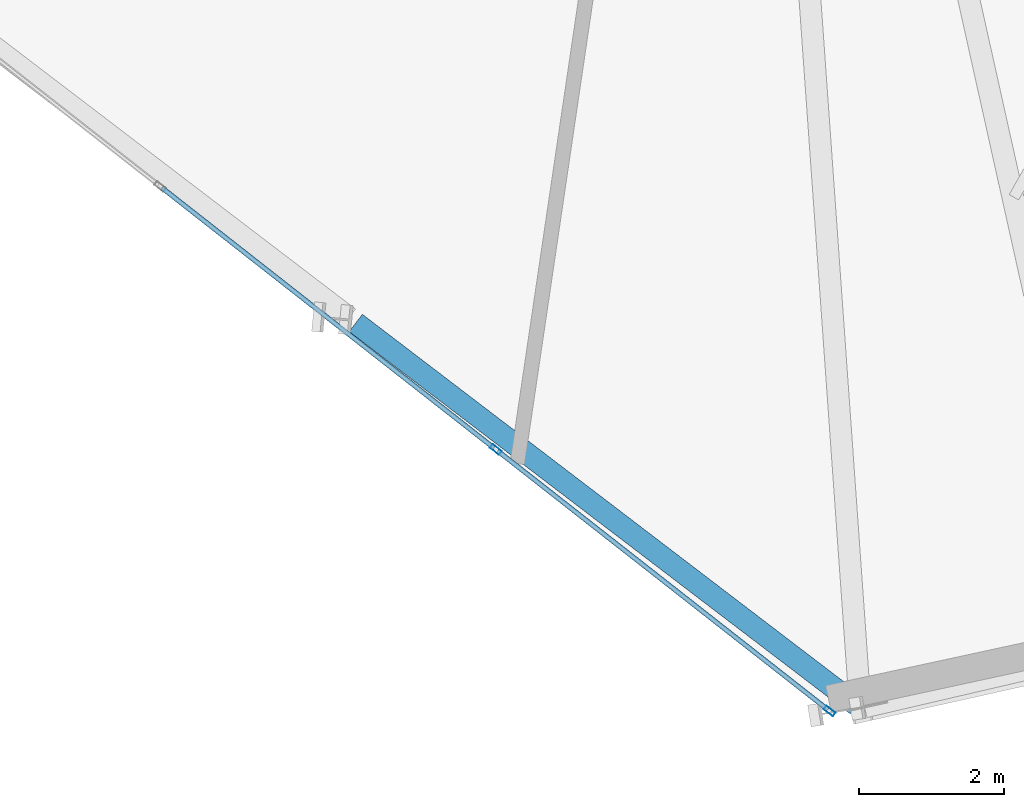
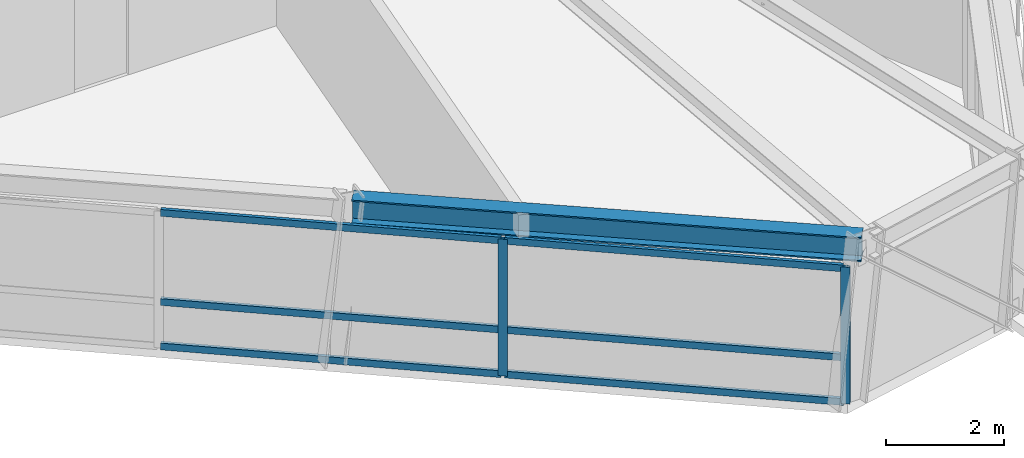
# One storey, part 3 of 14: 8 members, 1 beam, 1 element without a shape of its own.
"""IFC4 building model written with IfcOpenShell, lengths in metres."""

from ifc_helpers import new_model, si_unit, direction, frame, origin, origin_2d, place, context, subcontext, project, spatial, hollow_rectangle, i_section, extrude, source, transform, mapped, material, material_profile, profile_set, type_object, element, aggregate, save


model = new_model("IFC4")

# Units and contexts
model_context = context("Model", 3, precision=1e-05, world=origin(), true_north=direction((0.0, 1.0)))
body_context = subcontext(model_context, "Body", "Model", "MODEL_VIEW")
ifc_project = project(units=[si_unit("LENGTHUNIT", "METRE"), si_unit("AREAUNIT", "SQUARE_METRE"), si_unit("VOLUMEUNIT", "CUBIC_METRE"), si_unit("PLANEANGLEUNIT", "RADIAN"), si_unit("MASSUNIT", "GRAM", prefix="KILO")], contexts=[model_context])

# Site, building, storey
site_placement = place(None, origin())
site = spatial("IfcSite", under=ifc_project, at=site_placement, CompositionType="ELEMENT")
building_placement = place(site_placement, origin())
building = spatial("IfcBuilding", under=site, at=building_placement, Name="Olszyna Solenne Hotel", CompositionType="ELEMENT")
storey_placement = place(building_placement, frame((0.0, 0.0, 223.800048828125)))
storey = spatial("IfcBuildingStorey", under=building, at=storey_placement, Name="L59", CompositionType="ELEMENT", Elevation=223.800048828125)

# Beam
ifc_material_1 = material(Name="Steel S355J2", Category="steel")
ifc_material_profile_1 = material_profile(ifc_material_1, i_section(OverallWidth=0.300048828125, OverallDepth=0.5, WebThickness=0.014404296875, FlangeThickness=0.028076171875, at=origin_2d()), Name="HEB 500", Category="load-bearing")
ifc_profile_set_1 = profile_set([ifc_material_profile_1], Name="Steel S355J2")
beam_type = type_object("IfcBeamType", Name="BM-S3", PredefinedType="BEAM", material=ifc_profile_set_1)
shared_shape_1 = source(origin(), body_context, "Body", "SweptSolid", [
    extrude(i_section(OverallWidth=0.300048828125, OverallDepth=0.5, WebThickness=0.014404296875, FlangeThickness=0.028076171875, at=origin_2d()), origin(), (0.0, 0.0, 1.0), 8.685546875),
])
beam_placement = place(storey_placement, frame((32.744873046875, 8.018798828125, 3.079833984375), z_axis=(0.794997263233, -0.606613016223, 0.0), x_axis=(0.606613016223, 0.794997263233, 0.0)))
element("IfcBeam", 1, at=beam_placement, inside=storey, type_object=beam_type, Name="Perimeter spandrel beam BM-S3 B-L59-1743", PredefinedType="BEAM", context=body_context, shape_type="MappedRepresentation", body=[
    mapped(shared_shape_1, transform((0.0, 0.0, 0.0), x_axis=(1.0, 0.0, 0.0), y_axis=(0.0, 1.0, 0.0), z_axis=(0.0, 0.0, 1.0), scale=1.0)),
])

# Curtain wall, members
ifc_material_2 = material(Name="Anodised bronze aluminium", Category="aluminium")
curtain_wall_type = type_object("IfcCurtainWallType", Name="CW-SYS-4", PredefinedType="NOTDEFINED", material=ifc_material_2)
curtain_wall_placement = place(storey_placement, origin())
curtain_wall = element("IfcCurtainWall", 2, at=curtain_wall_placement, inside=storey, type_object=curtain_wall_type, Name="Unitised curtain wall CW-SYS-4 CW-L59-01", PredefinedType="NOTDEFINED")
ifc_material_profile_2 = material_profile(ifc_material_2, hollow_rectangle(XDim=0.06494140625, YDim=0.159912109375, WallThickness=0.00390625, at=origin_2d()), Name="MULL 160x65x4", Category="load-bearing")
ifc_profile_set_2 = profile_set([ifc_material_profile_2], Name="Anodised bronze aluminium")
member_type_1 = type_object("IfcMemberType", Name="CW-M3", PredefinedType="MULLION", material=ifc_profile_set_2)
shared_shape_2 = source(origin(), body_context, "Body", "SweptSolid", [
    extrude(hollow_rectangle(XDim=0.06494140625, YDim=0.159912109375, WallThickness=0.00390625, at=origin_2d()), origin(), (0.0, 0.0, 1.0), 2.822021484375),
])
member_1_placement = place(storey_placement, frame((34.67431640625, 6.275390625, 0.0), z_axis=(0.0, 0.0, 1.0), x_axis=(0.616851271091, 0.787079735067, 0.0)))
member_1 = element("IfcMember", 3, at=member_1_placement, type_object=member_type_1, Name="Curtain-wall mullion CW-M3 CM-L59-01-03", PredefinedType="MULLION", context=body_context, shape_type="MappedRepresentation", body=[
    mapped(shared_shape_2, transform((0.0, 0.0, 0.0), x_axis=(1.0, 0.0, 0.0), y_axis=(0.0, 1.0, 0.0), z_axis=(0.0, 0.0, 1.0), scale=1.0)),
])
member_2_placement = place(storey_placement, frame((39.273681640625, 2.6708984375, 0.0), z_axis=(0.0, 0.0, 1.0), x_axis=(0.616851271091, 0.787079735067, 0.0)))
member_2 = element("IfcMember", 4, at=member_2_placement, type_object=member_type_1, Name="Curtain-wall mullion CW-M3 CM-L59-01-04", PredefinedType="MULLION", context=body_context, shape_type="MappedRepresentation", body=[
    mapped(shared_shape_2, transform((0.0, 0.0, 0.0), x_axis=(1.0, 0.0, 0.0), y_axis=(0.0, 1.0, 0.0), z_axis=(0.0, 0.0, 1.0), scale=1.0)),
])
ifc_material_profile_3 = material_profile(ifc_material_2, hollow_rectangle(XDim=0.06494140625, YDim=0.139892578125, WallThickness=0.00390625, at=origin_2d()), Name="TRAN 140x65x4", Category="load-bearing")
ifc_profile_set_3 = profile_set([ifc_material_profile_3], Name="Anodised bronze aluminium")
member_type_2 = type_object("IfcMemberType", Name="CW-T2", PredefinedType="USERDEFINED", material=ifc_profile_set_3)
shared_shape_3 = source(origin(), body_context, "Body", "SweptSolid", [
    extrude(hollow_rectangle(XDim=0.06494140625, YDim=0.139892578125, WallThickness=0.00390625, at=origin_2d()), origin(), (0.0, 0.0, 1.0), 5.778564453125),
])
member_3_placement = place(storey_placement, frame((34.699951171875, 6.25537109375, 0.032470703125), z_axis=(0.787078645597, -0.616852661212, 0.0), x_axis=(0.616852661212, 0.787078645597, 0.0)))
member_3 = element("IfcMember", 5, at=member_3_placement, type_object=member_type_2, Name="Curtain-wall transom CW-T2 CT-L59-01-07", ObjectType="TRANSOM", PredefinedType="USERDEFINED", context=body_context, shape_type="MappedRepresentation", body=[
    mapped(shared_shape_3, transform((0.0, 0.0, 0.0), x_axis=(1.0, 0.0, 0.0), y_axis=(0.0, 1.0, 0.0), z_axis=(0.0, 0.0, 1.0), scale=1.0)),
])
member_4_placement = place(storey_placement, frame((34.699951171875, 6.25537109375, 0.949951171875), z_axis=(0.787078645597, -0.616852661212, 0.0), x_axis=(0.616852661212, 0.787078645597, 0.0)))
member_4 = element("IfcMember", 6, at=member_4_placement, type_object=member_type_2, Name="Curtain-wall transom CW-T2 CT-L59-01-08", ObjectType="TRANSOM", PredefinedType="USERDEFINED", context=body_context, shape_type="MappedRepresentation", body=[
    mapped(shared_shape_3, transform((0.0, 0.0, 0.0), x_axis=(1.0, 0.0, 0.0), y_axis=(0.0, 1.0, 0.0), z_axis=(0.0, 0.0, 1.0), scale=1.0)),
])
member_5_placement = place(storey_placement, frame((34.699951171875, 6.25537109375, 2.78955078125), z_axis=(0.787078645597, -0.616852661212, 0.0), x_axis=(0.616852661212, 0.787078645597, 0.0)))
member_5 = element("IfcMember", 7, at=member_5_placement, type_object=member_type_2, Name="Curtain-wall transom CW-T2 CT-L59-01-09", ObjectType="TRANSOM", PredefinedType="USERDEFINED", context=body_context, shape_type="MappedRepresentation", body=[
    mapped(shared_shape_3, transform((0.0, 0.0, 0.0), x_axis=(1.0, 0.0, 0.0), y_axis=(0.0, 1.0, 0.0), z_axis=(0.0, 0.0, 1.0), scale=1.0)),
])
shared_shape_4 = source(origin(), body_context, "Body", "SweptSolid", [
    extrude(hollow_rectangle(XDim=0.06494140625, YDim=0.139892578125, WallThickness=0.00390625, at=origin_2d()), origin(), (0.0, 0.0, 1.0), 5.81103515625),
])
member_6_placement = place(storey_placement, frame((30.074951171875, 9.880126953125, 0.032470703125), z_axis=(0.78706418453, -0.616871112494, 0.0), x_axis=(0.616871112494, 0.78706418453, 0.0)))
member_6 = element("IfcMember", 8, at=member_6_placement, type_object=member_type_2, Name="Curtain-wall transom CW-T2 CT-L59-01-04", ObjectType="TRANSOM", PredefinedType="USERDEFINED", context=body_context, shape_type="MappedRepresentation", body=[
    mapped(shared_shape_4, transform((0.0, 0.0, 0.0), x_axis=(1.0, 0.0, 0.0), y_axis=(0.0, 1.0, 0.0), z_axis=(0.0, 0.0, 1.0), scale=1.0)),
])
member_7_placement = place(storey_placement, frame((30.074951171875, 9.880126953125, 0.949951171875), z_axis=(0.78706418453, -0.616871112494, 0.0), x_axis=(0.616871112494, 0.78706418453, 0.0)))
member_7 = element("IfcMember", 9, at=member_7_placement, type_object=member_type_2, Name="Curtain-wall transom CW-T2 CT-L59-01-05", ObjectType="TRANSOM", PredefinedType="USERDEFINED", context=body_context, shape_type="MappedRepresentation", body=[
    mapped(shared_shape_4, transform((0.0, 0.0, 0.0), x_axis=(1.0, 0.0, 0.0), y_axis=(0.0, 1.0, 0.0), z_axis=(0.0, 0.0, 1.0), scale=1.0)),
])
member_8_placement = place(storey_placement, frame((30.074951171875, 9.880126953125, 2.78955078125), z_axis=(0.78706418453, -0.616871112494, 0.0), x_axis=(0.616871112494, 0.78706418453, 0.0)))
member_8 = element("IfcMember", 10, at=member_8_placement, type_object=member_type_2, Name="Curtain-wall transom CW-T2 CT-L59-01-06", ObjectType="TRANSOM", PredefinedType="USERDEFINED", context=body_context, shape_type="MappedRepresentation", body=[
    mapped(shared_shape_4, transform((0.0, 0.0, 0.0), x_axis=(1.0, 0.0, 0.0), y_axis=(0.0, 1.0, 0.0), z_axis=(0.0, 0.0, 1.0), scale=1.0)),
])
aggregate(curtain_wall, [member_1, member_2, member_6, member_7, member_8, member_3, member_4, member_5])

save(model, "model.ifc")
